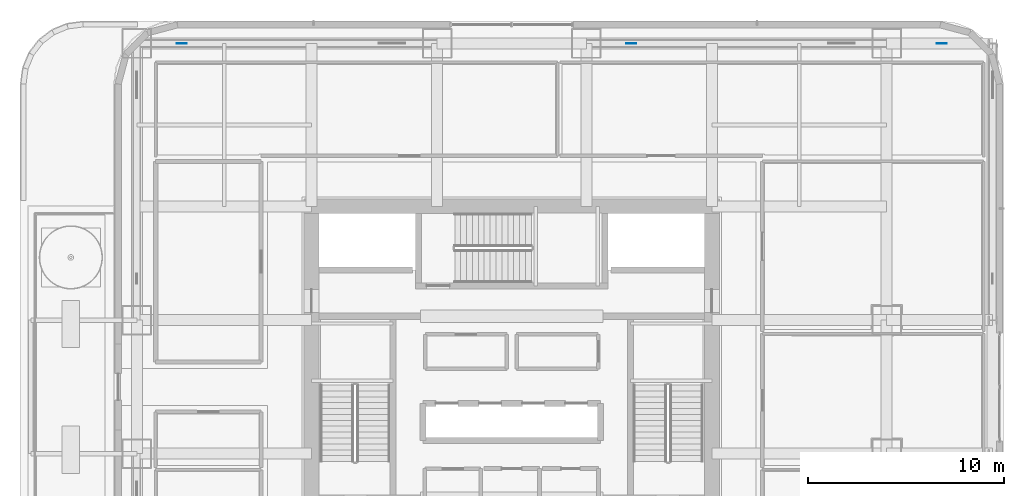
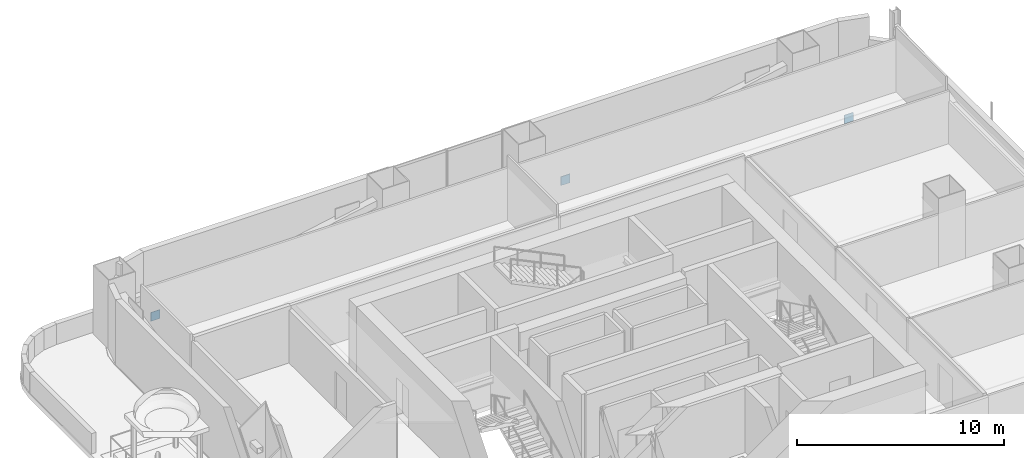
# One storey, part 10 of 27: 3 plates.
"""IFC4 building model written with IfcOpenShell, lengths in metres."""

from ifc_helpers import new_model, si_unit, direction, frame, origin, origin_2d, place, context, subcontext, project, spatial, rectangle, extrude, material, layer, layer_set, type_object, element, save


model = new_model("IFC4")

# Units and contexts
model_context = context("Model", 3, precision=1e-05, world=origin(), true_north=direction((0.0, 1.0)))
body_context = subcontext(model_context, "Body", "Model", "MODEL_VIEW")
ifc_project = project(units=[si_unit("LENGTHUNIT", "METRE"), si_unit("AREAUNIT", "SQUARE_METRE"), si_unit("VOLUMEUNIT", "CUBIC_METRE"), si_unit("PLANEANGLEUNIT", "RADIAN"), si_unit("MASSUNIT", "GRAM", prefix="KILO")], contexts=[model_context])

# Site, building, storey
site_placement = place(None, origin())
site = spatial("IfcSite", under=ifc_project, at=site_placement, CompositionType="ELEMENT")
building_placement = place(site_placement, origin())
building = spatial("IfcBuilding", under=site, at=building_placement, Name="Punatoya Terracotta Tower", CompositionType="ELEMENT")
storey_placement = place(building_placement, frame((0.0, 0.0, 60.60009765625)))
storey = spatial("IfcBuildingStorey", under=building, at=storey_placement, Name="L13", CompositionType="ELEMENT", Elevation=60.60009765625)

# Plates
ifc_material = material(Name="Steel S460", Category="steel")
ifc_layer = layer(ifc_material, 0.031982421875)
ifc_layer_set = layer_set([ifc_layer], Name="Steel S460")
plate_type = type_object("IfcPlateType", Name="PLT-END-32", PredefinedType="USERDEFINED", material=ifc_layer_set)
for number, where, z_axis, x_axis, name in (
    (1, (-16.804931640625, 17.5, 0.20849609375), (0.0, 0.0, 1.0), (1.0, 0.0, 0.0), "L13 Exoskeleton Base Node Plate N1"),
    (2, (6.094970703125, 17.5, 0.20849609375), (0.0, 0.0, 1.0), (1.0, 0.0, 0.0), "L13 Exoskeleton Base Node Plate N3"),
):
    element("IfcPlate", number, at=place(storey_placement, frame(where, z_axis=z_axis, x_axis=x_axis)), inside=storey, type_object=plate_type, Name=name, ObjectType="FLANGE_PLATE", PredefinedType="USERDEFINED", context=body_context, shape_type="SweptSolid", body=[
        extrude(rectangle(XDim=0.52001953125, YDim=0.031982421875, at=origin_2d()), origin(), (0.0, 0.0, 1.0), 0.52001953125),
    ])
plate_placement = place(storey_placement, frame((21.916015625, 17.5, -1.68408203125), z_axis=(0.0, 0.0, 1.0), x_axis=(1.0, 0.0, 0.0)))
element("IfcPlate", 3, at=plate_placement, inside=storey, type_object=plate_type, Name="L13 Knee-Strut Upper End Cap Plate E2", ObjectType="FLANGE_PLATE", PredefinedType="USERDEFINED", context=body_context, shape_type="SweptSolid", body=[
    extrude(rectangle(XDim=0.5, YDim=0.031982421875, at=origin_2d()), origin(), (0.0, 0.0, 1.0), 0.5),
])

save(model, "model.ifc")
